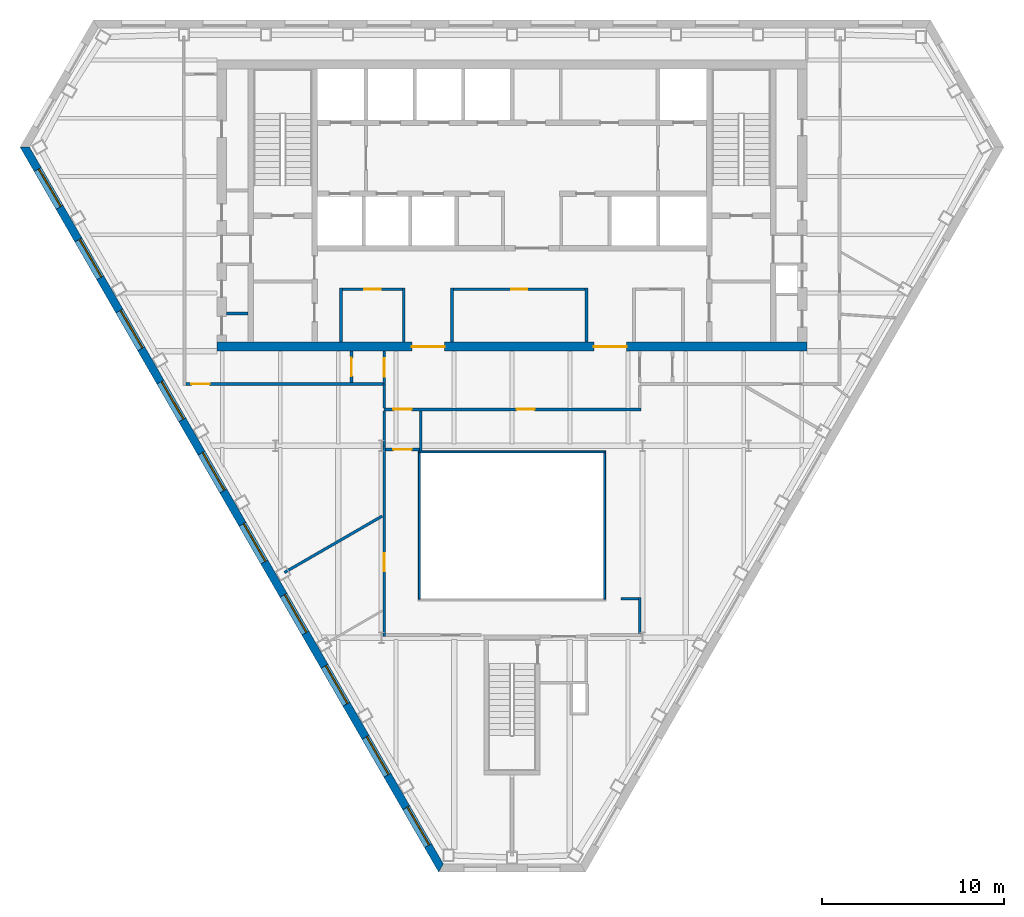
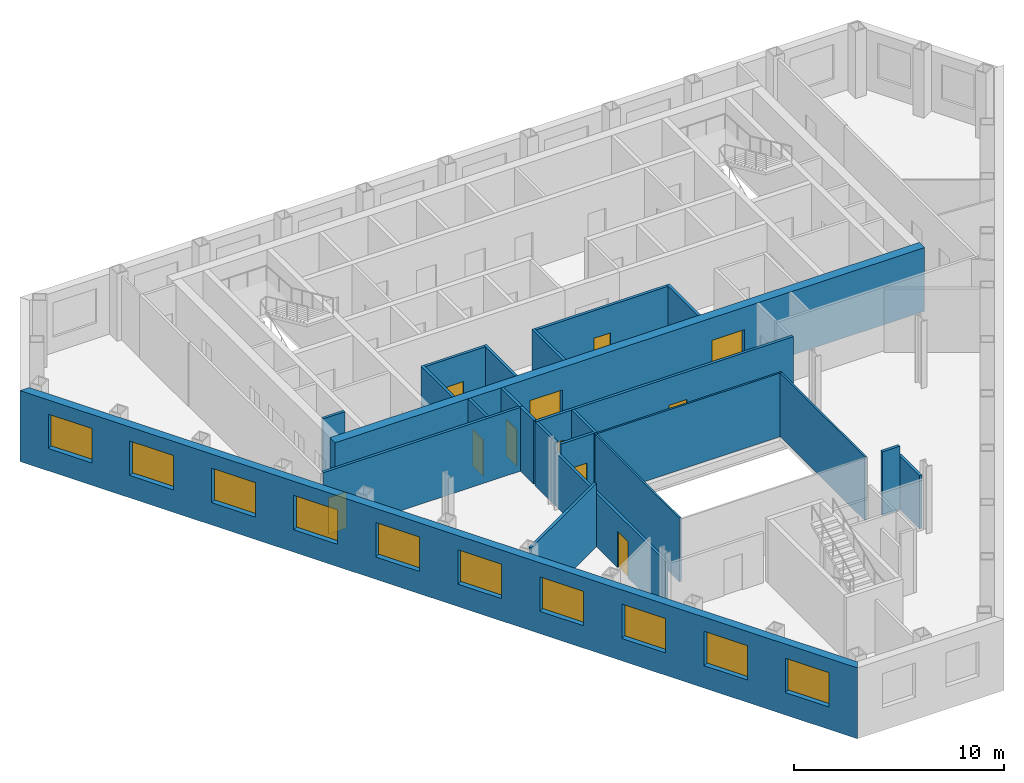
# One storey, part 4 of 11: 24 walls, 11 doors, 10 windows, 21 openings.
"""IFC4 building model written with IfcOpenShell, lengths in metres."""

from ifc_helpers import new_model, si_unit, direction, frame, frame_2d, origin, place, context, subcontext, project, spatial, polyline, rectangle, outline, extrude, material, layer, layer_set, type_object, element, fill, save


model = new_model("IFC4")

# Units and contexts
model_context = context("Model", 3, precision=1e-05, world=origin(), true_north=direction((0.0, 1.0)))
body_context = subcontext(model_context, "Body", "Model", "MODEL_VIEW")
ifc_project = project(units=[si_unit("LENGTHUNIT", "METRE"), si_unit("AREAUNIT", "SQUARE_METRE"), si_unit("VOLUMEUNIT", "CUBIC_METRE"), si_unit("PLANEANGLEUNIT", "RADIAN"), si_unit("MASSUNIT", "GRAM", prefix="KILO")], contexts=[model_context])

# Site, building, storey
site_placement = place(None, origin())
site = spatial("IfcSite", under=ifc_project, at=site_placement, CompositionType="ELEMENT")
building_placement = place(site_placement, origin())
building = spatial("IfcBuilding", under=site, at=building_placement, Name="Njiva Tower", CompositionType="ELEMENT")
storey_placement = place(building_placement, frame((0.0, 0.0, 182.7)))
storey = spatial("IfcBuildingStorey", under=building, at=storey_placement, Name="L40", CompositionType="ELEMENT", Elevation=182.7)

# Walls
ifc_material_1 = material(Name="Blockwork", Category="masonry")
ifc_layer_1 = layer(ifc_material_1, 0.15)
ifc_layer_set_1 = layer_set([ifc_layer_1], Name="Blockwork")
wall_type_1 = type_object("IfcWallType", Name="WT1 Compartment partition 150", PredefinedType="PARTITIONING", material=ifc_layer_set_1)
wall_1_placement = place(storey_placement, frame((-15.7, 4.075, 0.0), z_axis=(0.0, 0.0, 1.0), x_axis=(1.0, 0.0, 0.0)))
element("IfcWall", 1, at=wall_1_placement, inside=storey, type_object=wall_type_1, Name="Partition strip W00", PredefinedType="PARTITIONING", context=body_context, shape_type="SweptSolid", body=[
    extrude(rectangle(XDim=1.2, YDim=0.15, at=frame_2d((0.6, 0.0))), origin(), (0.0, 0.0, 1.0), 3.7),
])
for number, where, z_axis, x_axis, name in (
    (2, (-9.4, 2.5, 0.0), (0.0, 0.0, 1.0), (0.0, 1.0, 0.0), "Concierge office wall west"),
    (3, (-5.95, 2.5, 0.0), (0.0, 0.0, 1.0), (0.0, 1.0, 0.0), "Concierge office wall east"),
):
    element("IfcWall", number, at=place(storey_placement, frame(where, z_axis=z_axis, x_axis=x_axis)), inside=storey, type_object=wall_type_1, Name=name, PredefinedType="PARTITIONING", context=body_context, shape_type="SweptSolid", body=[
        extrude(rectangle(XDim=2.975, YDim=0.15, at=frame_2d((1.4875, 0.0))), origin(), (0.0, 0.0, 1.0), 3.7),
    ])

# Wall, opening, door
wall_2_placement = place(storey_placement, frame((-9.325, 5.4, 0.0), z_axis=(0.0, 0.0, 1.0), x_axis=(1.0, 0.0, 0.0)))
wall_2 = element("IfcWall", 4, at=wall_2_placement, inside=storey, type_object=wall_type_1, Name="Concierge office wall north", PredefinedType="PARTITIONING", context=body_context, shape_type="SweptSolid", body=[
    extrude(rectangle(XDim=3.3, YDim=0.15, at=frame_2d((1.65, 0.0))), origin(), (0.0, 0.0, 1.0), 3.7),
])
opening_1_placement = place(wall_2_placement, frame((1.2, 0.0, 0.0)))
opening_1 = element("IfcOpeningElement", 5, at=opening_1_placement, cuts=wall_2, Name="Opening S13-D933", PredefinedType="OPENING", context=body_context, shape_type="SweptSolid", body=[
    extrude(rectangle(XDim=0.9, YDim=2.1, at=frame_2d((0.45, 1.05))), frame((0.0, 0.085, 0.0), z_axis=(0.0, -1.0, 0.0), x_axis=(1.0, 0.0, 0.0)), (0.0, 0.0, 1.0), 0.17),
])
ifc_material_2 = material(Name="Steel fire door, painted", Category="steel")
door_type_1 = type_object("IfcDoorType", Name="D6 Fire-rated door 900x2100", OperationType="SINGLE_SWING_LEFT", PredefinedType="DOOR", material=ifc_material_2)
door_1_placement = place(opening_1_placement, origin())
door_1 = element("IfcDoor", 6, at=door_1_placement, inside=storey, type_object=door_type_1, Name="Concierge office door", OperationType="SINGLE_SWING_RIGHT", OverallHeight=2.1, OverallWidth=0.9, PredefinedType="DOOR", context=body_context, shape_type="SweptSolid", body=[
    extrude(rectangle(XDim=0.9, YDim=2.1, at=frame_2d((0.45, 1.05))), frame((0.0, 0.025, 0.0), z_axis=(0.0, -1.0, 0.0), x_axis=(1.0, 0.0, 0.0)), (0.0, 0.0, 1.0), 0.05),
])
fill(opening_1, door_1)

# Walls
for number, where, z_axis, x_axis, name in (
    (7, (-3.3, 2.5, 0.0), (0.0, 0.0, 1.0), (0.0, 1.0, 0.0), "Post room wall west"),
    (8, (4.1, 2.5, 0.0), (0.0, 0.0, 1.0), (0.0, 1.0, 0.0), "Post room wall east"),
):
    element("IfcWall", number, at=place(storey_placement, frame(where, z_axis=z_axis, x_axis=x_axis)), inside=storey, type_object=wall_type_1, Name=name, PredefinedType="PARTITIONING", context=body_context, shape_type="SweptSolid", body=[
        extrude(rectangle(XDim=2.975, YDim=0.15, at=frame_2d((1.4875, 0.0))), origin(), (0.0, 0.0, 1.0), 3.7),
    ])

# Wall, opening, door
wall_3_placement = place(storey_placement, frame((-3.225, 5.4, 0.0), z_axis=(0.0, 0.0, 1.0), x_axis=(1.0, 0.0, 0.0)))
wall_3 = element("IfcWall", 9, at=wall_3_placement, inside=storey, type_object=wall_type_1, Name="Post room wall north", PredefinedType="PARTITIONING", context=body_context, shape_type="SweptSolid", body=[
    extrude(rectangle(XDim=7.25, YDim=0.15, at=frame_2d((3.625, 0.0))), origin(), (0.0, 0.0, 1.0), 3.7),
])
opening_2_placement = place(wall_3_placement, frame((3.175, 0.0, 0.0)))
opening_2 = element("IfcOpeningElement", 10, at=opening_2_placement, cuts=wall_3, Name="Opening S13-D934", PredefinedType="OPENING", context=body_context, shape_type="SweptSolid", body=[
    extrude(rectangle(XDim=0.9, YDim=2.1, at=frame_2d((0.45, 1.05))), frame((0.0, 0.085, 0.0), z_axis=(0.0, -1.0, 0.0), x_axis=(1.0, 0.0, 0.0)), (0.0, 0.0, 1.0), 0.17),
])
door_2_placement = place(opening_2_placement, origin())
door_2 = element("IfcDoor", 11, at=door_2_placement, inside=storey, type_object=door_type_1, Name="Post room door", OperationType="SINGLE_SWING_LEFT", OverallHeight=2.1, OverallWidth=0.9, PredefinedType="DOOR", context=body_context, shape_type="SweptSolid", body=[
    extrude(rectangle(XDim=0.9, YDim=2.1, at=frame_2d((0.45, 1.05))), frame((0.0, 0.025, 0.0), z_axis=(0.0, -1.0, 0.0), x_axis=(1.0, 0.0, 0.0)), (0.0, 0.0, 1.0), 0.05),
])
fill(opening_2, door_2)

# Wall, openings, doors
ifc_material_3 = material(Name="Concrete C60/75", Category="concrete")
ifc_layer_2 = layer(ifc_material_3, 0.5)
ifc_layer_set_2 = layer_set([ifc_layer_2], Name="Concrete C60/75")
wall_type_2 = type_object("IfcWallType", Name="WT13 Core wall 500", PredefinedType="SHEAR", material=ifc_layer_set_2)
wall_4_placement = place(storey_placement, frame((-16.2, 2.25, 0.0), z_axis=(0.0, 0.0, 1.0), x_axis=(1.0, 0.0, 0.0)))
wall_4 = element("IfcWall", 12, at=wall_4_placement, inside=storey, type_object=wall_type_2, Name="Core wall south", PredefinedType="SHEAR", context=body_context, shape_type="SweptSolid", body=[
    extrude(rectangle(XDim=32.4, YDim=0.5, at=frame_2d((16.2, 0.0))), origin(), (0.0, 0.0, 1.0), 3.7),
])
opening_3_placement = place(wall_4_placement, frame((10.7, 0.0, 0.0)))
opening_3 = element("IfcOpeningElement", 13, at=opening_3_placement, cuts=wall_4, Name="Opening S13-D937", PredefinedType="OPENING", context=body_context, shape_type="SweptSolid", body=[
    extrude(rectangle(XDim=1.8, YDim=2.4, at=frame_2d((0.9, 1.2))), frame((0.0, 0.26, 0.0), z_axis=(0.0, -1.0, 0.0), x_axis=(1.0, 0.0, 0.0)), (0.0, 0.0, 1.0), 0.52),
])
opening_4_placement = place(wall_4_placement, frame((20.7, 0.0, 0.0)))
opening_4 = element("IfcOpeningElement", 14, at=opening_4_placement, cuts=wall_4, Name="Opening S13-D938", PredefinedType="OPENING", context=body_context, shape_type="SweptSolid", body=[
    extrude(rectangle(XDim=1.8, YDim=2.4, at=frame_2d((0.9, 1.2))), frame((0.0, 0.26, 0.0), z_axis=(0.0, -1.0, 0.0), x_axis=(1.0, 0.0, 0.0)), (0.0, 0.0, 1.0), 0.52),
])
ifc_material_4 = material(Name="Steel and glass door", Category="steel")
door_type_2 = type_object("IfcDoorType", Name="D3 Core entrance door 1800x2400", OperationType="DOUBLE_DOOR_SINGLE_SWING", PredefinedType="DOOR", material=ifc_material_4)
door_3_placement = place(opening_3_placement, origin())
door_3 = element("IfcDoor", 15, at=door_3_placement, inside=storey, type_object=door_type_2, Name="Core entrance door", OperationType="DOUBLE_DOOR_SINGLE_SWING", OverallHeight=2.4, OverallWidth=1.8, PredefinedType="DOOR", context=body_context, shape_type="SweptSolid", body=[
    extrude(rectangle(XDim=1.8, YDim=2.4, at=frame_2d((0.9, 1.2))), frame((0.0, 0.025, 0.0), z_axis=(0.0, -1.0, 0.0), x_axis=(1.0, 0.0, 0.0)), (0.0, 0.0, 1.0), 0.05),
])
fill(opening_3, door_3)
door_4_placement = place(opening_4_placement, origin())
door_4 = element("IfcDoor", 16, at=door_4_placement, inside=storey, type_object=door_type_2, Name="Core entrance door", OperationType="DOUBLE_DOOR_SINGLE_SWING", OverallHeight=2.4, OverallWidth=1.8, PredefinedType="DOOR", context=body_context, shape_type="SweptSolid", body=[
    extrude(rectangle(XDim=1.8, YDim=2.4, at=frame_2d((0.9, 1.2))), frame((0.0, 0.025, 0.0), z_axis=(0.0, -1.0, 0.0), x_axis=(1.0, 0.0, 0.0)), (0.0, 0.0, 1.0), 0.05),
])
fill(opening_4, door_4)

# Wall, opening, door
ifc_material_5 = material(Name="Gypsum board on steel studs", Category="gypsum")
ifc_layer_3 = layer(ifc_material_5, 0.15)
ifc_layer_set_3 = layer_set([ifc_layer_3], Name="Gypsum board on steel studs")
wall_type_3 = type_object("IfcWallType", Name="WT21 Compartment wall 150", PredefinedType="PARTITIONING", material=ifc_layer_set_3)
wall_5_placement = place(storey_placement, frame((-17.925, 0.2, 0.0), z_axis=(0.0, 0.0, 1.0), x_axis=(1.0, 0.0, 0.0)))
wall_5 = element("IfcWall", 17, at=wall_5_placement, inside=storey, type_object=wall_type_3, Name="Partition S13-P005", PredefinedType="PARTITIONING", context=body_context, shape_type="SweptSolid", body=[
    extrude(rectangle(XDim=10.83, YDim=0.15, at=frame_2d((5.415, 0.0))), origin(), (0.0, 0.0, 1.0), 3.7),
])
opening_5_placement = place(wall_5_placement, frame((0.312, 0.0, 0.0)))
opening_5 = element("IfcOpeningElement", 18, at=opening_5_placement, cuts=wall_5, Name="Opening S13-D002", PredefinedType="OPENING", context=body_context, shape_type="SweptSolid", body=[
    extrude(rectangle(XDim=1.0, YDim=2.1, at=frame_2d((0.5, 1.05))), frame((0.0, 0.085, 0.0), z_axis=(0.0, -1.0, 0.0), x_axis=(1.0, 0.0, 0.0)), (0.0, 0.0, 1.0), 0.17),
])
ifc_material_6 = material(Name="Steel fire door set", Category="steel")
door_type_3 = type_object("IfcDoorType", Name="D37 Fire door 1000x2100", OperationType="SINGLE_SWING_LEFT", PredefinedType="DOOR", material=ifc_material_6)
door_5_placement = place(opening_5_placement, origin())
door_5 = element("IfcDoor", 19, at=door_5_placement, inside=storey, type_object=door_type_3, Name="Door S13-D002", OperationType="SINGLE_SWING_LEFT", OverallHeight=2.1, OverallWidth=1.0, PredefinedType="DOOR", context=body_context, shape_type="SweptSolid", body=[
    extrude(rectangle(XDim=1.0, YDim=2.1, at=frame_2d((0.5, 1.05))), frame((0.0, 0.025, 0.0), z_axis=(0.0, -1.0, 0.0), x_axis=(1.0, 0.0, 0.0)), (0.0, 0.0, 1.0), 0.05),
])
fill(opening_5, door_5)

# Wall
wall_6_placement = place(storey_placement, frame((-12.499, -10.157, 0.0), z_axis=(0.0, 0.0, 1.0), x_axis=(0.866070043127, 0.499922674419, 0.0)))
element("IfcWall", 20, at=wall_6_placement, inside=storey, type_object=wall_type_3, Name="Partition S13-P006", PredefinedType="PARTITIONING", context=body_context, shape_type="SweptSolid", body=[
    extrude(rectangle(XDim=6.197, YDim=0.15, at=frame_2d((3.0985, 0.0))), origin(), (0.0, 0.0, 1.0), 3.7),
])

# Wall, opening, door
wall_7_placement = place(storey_placement, frame((-8.82, 0.275, 0.0), z_axis=(0.0, 0.0, 1.0), x_axis=(0.0, 1.0, 0.0)))
wall_7 = element("IfcWall", 21, at=wall_7_placement, inside=storey, type_object=wall_type_3, Name="Partition S13-P008", PredefinedType="PARTITIONING", context=body_context, shape_type="SweptSolid", body=[
    extrude(rectangle(XDim=1.725, YDim=0.15, at=frame_2d((0.8625, 0.0))), origin(), (0.0, 0.0, 1.0), 3.7),
])
opening_6_placement = place(wall_7_placement, frame((0.363, 0.0, 0.0)))
opening_6 = element("IfcOpeningElement", 22, at=opening_6_placement, cuts=wall_7, Name="Opening S13-D003", PredefinedType="OPENING", context=body_context, shape_type="SweptSolid", body=[
    extrude(rectangle(XDim=1.0, YDim=2.1, at=frame_2d((0.5, 1.05))), frame((0.0, 0.085, 0.0), z_axis=(0.0, -1.0, 0.0), x_axis=(1.0, 0.0, 0.0)), (0.0, 0.0, 1.0), 0.17),
])
door_6_placement = place(opening_6_placement, origin())
door_6 = element("IfcDoor", 23, at=door_6_placement, inside=storey, type_object=door_type_3, Name="Door S13-D003", OperationType="SINGLE_SWING_LEFT", OverallHeight=2.1, OverallWidth=1.0, PredefinedType="DOOR", context=body_context, shape_type="SweptSolid", body=[
    extrude(rectangle(XDim=1.0, YDim=2.1, at=frame_2d((0.5, 1.05))), frame((0.0, 0.025, 0.0), z_axis=(0.0, -1.0, 0.0), x_axis=(1.0, 0.0, 0.0)), (0.0, 0.0, 1.0), 0.05),
])
fill(opening_6, door_6)

wall_8_placement = place(storey_placement, frame((-7.02, -13.675, 0.0), z_axis=(0.0, 0.0, 1.0), x_axis=(0.0, 1.0, 0.0)))
wall_8 = element("IfcWall", 24, at=wall_8_placement, inside=storey, type_object=wall_type_3, Name="Partition S13-P009", PredefinedType="PARTITIONING", context=body_context, shape_type="SweptSolid", body=[
    extrude(rectangle(XDim=10.475, YDim=0.15, at=frame_2d((5.2375, 0.0))), origin(), (0.0, 0.0, 1.0), 3.11),
])
opening_7_placement = place(wall_8_placement, frame((3.577, 0.0, 0.0)))
opening_7 = element("IfcOpeningElement", 25, at=opening_7_placement, cuts=wall_8, Name="Opening S13-D004", PredefinedType="OPENING", context=body_context, shape_type="SweptSolid", body=[
    extrude(rectangle(XDim=1.0, YDim=2.1, at=frame_2d((0.5, 1.05))), frame((0.0, 0.085, 0.0), z_axis=(0.0, -1.0, 0.0), x_axis=(1.0, 0.0, 0.0)), (0.0, 0.0, 1.0), 0.17),
])
door_7_placement = place(opening_7_placement, origin())
door_7 = element("IfcDoor", 26, at=door_7_placement, inside=storey, type_object=door_type_3, Name="Door S13-D004", OperationType="SINGLE_SWING_RIGHT", OverallHeight=2.1, OverallWidth=1.0, PredefinedType="DOOR", context=body_context, shape_type="SweptSolid", body=[
    extrude(rectangle(XDim=1.0, YDim=2.1, at=frame_2d((0.5, 1.05))), frame((0.0, 0.025, 0.0), z_axis=(0.0, -1.0, 0.0), x_axis=(1.0, 0.0, 0.0)), (0.0, 0.0, 1.0), 0.05),
])
fill(opening_7, door_7)

# Wall
wall_9_placement = place(storey_placement, frame((-7.02, -3.2, 0.0), z_axis=(0.0, 0.0, 1.0), x_axis=(0.0, 1.0, 0.0)))
element("IfcWall", 27, at=wall_9_placement, inside=storey, type_object=wall_type_3, Name="Partition S13-P009A", PredefinedType="PARTITIONING", context=body_context, shape_type="SweptSolid", body=[
    extrude(rectangle(XDim=1.925, YDim=0.15, at=frame_2d((0.9625, 0.0))), origin(), (0.0, 0.0, 1.0), 3.7),
])

# Wall, openings, doors
wall_10_placement = place(storey_placement, frame((-7.02, -1.2, 0.0), z_axis=(0.0, 0.0, 1.0), x_axis=(1.0, 0.0, 0.0)))
wall_10 = element("IfcWall", 28, at=wall_10_placement, inside=storey, type_object=wall_type_3, Name="Partition S13-P010", PredefinedType="PARTITIONING", context=body_context, shape_type="SweptSolid", body=[
    extrude(rectangle(XDim=14.115, YDim=0.15, at=frame_2d((7.0575, 0.0))), origin(), (0.0, 0.0, 1.0), 3.7),
])
opening_8_placement = place(wall_10_placement, frame((0.5, 0.0, 0.0)))
opening_8 = element("IfcOpeningElement", 29, at=opening_8_placement, cuts=wall_10, Name="Opening S13-D005", PredefinedType="OPENING", context=body_context, shape_type="SweptSolid", body=[
    extrude(rectangle(XDim=1.0, YDim=2.1, at=frame_2d((0.5, 1.05))), frame((0.0, 0.085, 0.0), z_axis=(0.0, -1.0, 0.0), x_axis=(1.0, 0.0, 0.0)), (0.0, 0.0, 1.0), 0.17),
])
opening_9_placement = place(wall_10_placement, frame((7.27, 0.0, 0.0)))
opening_9 = element("IfcOpeningElement", 30, at=opening_9_placement, cuts=wall_10, Name="Opening S13-D006", PredefinedType="OPENING", context=body_context, shape_type="SweptSolid", body=[
    extrude(rectangle(XDim=1.0, YDim=2.1, at=frame_2d((0.5, 1.05))), frame((0.0, 0.085, 0.0), z_axis=(0.0, -1.0, 0.0), x_axis=(1.0, 0.0, 0.0)), (0.0, 0.0, 1.0), 0.17),
])
door_8_placement = place(opening_8_placement, origin())
door_8 = element("IfcDoor", 31, at=door_8_placement, inside=storey, type_object=door_type_3, Name="Door S13-D005", OperationType="SINGLE_SWING_RIGHT", OverallHeight=2.1, OverallWidth=1.0, PredefinedType="DOOR", context=body_context, shape_type="SweptSolid", body=[
    extrude(rectangle(XDim=1.0, YDim=2.1, at=frame_2d((0.5, 1.05))), frame((0.0, 0.025, 0.0), z_axis=(0.0, -1.0, 0.0), x_axis=(1.0, 0.0, 0.0)), (0.0, 0.0, 1.0), 0.05),
])
fill(opening_8, door_8)
door_9_placement = place(opening_9_placement, origin())
door_9 = element("IfcDoor", 32, at=door_9_placement, inside=storey, type_object=door_type_3, Name="Door S13-D006", OperationType="SINGLE_SWING_RIGHT", OverallHeight=2.1, OverallWidth=1.0, PredefinedType="DOOR", context=body_context, shape_type="SweptSolid", body=[
    extrude(rectangle(XDim=1.0, YDim=2.1, at=frame_2d((0.5, 1.05))), frame((0.0, 0.025, 0.0), z_axis=(0.0, -1.0, 0.0), x_axis=(1.0, 0.0, 0.0)), (0.0, 0.0, 1.0), 0.05),
])
fill(opening_9, door_9)

# Wall
wall_11_placement = place(storey_placement, frame((-7.02, -1.125, 0.0), z_axis=(0.0, 0.0, 1.0), x_axis=(0.0, 1.0, 0.0)))
element("IfcWall", 33, at=wall_11_placement, inside=storey, type_object=wall_type_3, Name="Partition S13-P011", PredefinedType="PARTITIONING", context=body_context, shape_type="SweptSolid", body=[
    extrude(rectangle(XDim=1.323, YDim=0.15, at=frame_2d((0.6615, 0.0))), origin(), (0.0, 0.0, 1.0), 3.7),
])

# Wall, opening, door
wall_12_placement = place(storey_placement, frame((-7.02, 0.2, 0.0), z_axis=(0.0, 0.0, 1.0), x_axis=(0.0, 1.0, 0.0)))
wall_12 = element("IfcWall", 34, at=wall_12_placement, inside=storey, type_object=wall_type_3, Name="Partition S13-P012", PredefinedType="PARTITIONING", context=body_context, shape_type="SweptSolid", body=[
    extrude(rectangle(XDim=1.8, YDim=0.15, at=frame_2d((0.9, 0.0))), origin(), (0.0, 0.0, 1.0), 3.7),
])
opening_10_placement = place(wall_12_placement, frame((0.4, 0.0, 0.0)))
opening_10 = element("IfcOpeningElement", 35, at=opening_10_placement, cuts=wall_12, Name="Opening S13-D007", PredefinedType="OPENING", context=body_context, shape_type="SweptSolid", body=[
    extrude(rectangle(XDim=1.0, YDim=2.1, at=frame_2d((0.5, 1.05))), frame((0.0, 0.085, 0.0), z_axis=(0.0, -1.0, 0.0), x_axis=(1.0, 0.0, 0.0)), (0.0, 0.0, 1.0), 0.17),
])
door_10_placement = place(opening_10_placement, origin())
door_10 = element("IfcDoor", 36, at=door_10_placement, inside=storey, type_object=door_type_3, Name="Door S13-D007", OperationType="SINGLE_SWING_LEFT", OverallHeight=2.1, OverallWidth=1.0, PredefinedType="DOOR", context=body_context, shape_type="SweptSolid", body=[
    extrude(rectangle(XDim=1.0, YDim=2.1, at=frame_2d((0.5, 1.05))), frame((0.0, 0.025, 0.0), z_axis=(0.0, -1.0, 0.0), x_axis=(1.0, 0.0, 0.0)), (0.0, 0.0, 1.0), 0.05),
])
fill(opening_10, door_10)

wall_13_placement = place(storey_placement, frame((-6.945, -3.4, 0.0), z_axis=(0.0, 0.0, 1.0), x_axis=(1.0, 0.0, 0.0)))
wall_13 = element("IfcWall", 37, at=wall_13_placement, inside=storey, type_object=wall_type_3, Name="Partition S13-P014", PredefinedType="PARTITIONING", context=body_context, shape_type="SweptSolid", body=[
    extrude(rectangle(XDim=1.85, YDim=0.15, at=frame_2d((0.925, 0.0))), origin(), (0.0, 0.0, 1.0), 3.7),
])
opening_11_placement = place(wall_13_placement, frame((0.425, 0.0, 0.0)))
opening_11 = element("IfcOpeningElement", 38, at=opening_11_placement, cuts=wall_13, Name="Opening S13-D009", PredefinedType="OPENING", context=body_context, shape_type="SweptSolid", body=[
    extrude(rectangle(XDim=1.0, YDim=2.1, at=frame_2d((0.5, 1.05))), frame((0.0, 0.085, 0.0), z_axis=(0.0, -1.0, 0.0), x_axis=(1.0, 0.0, 0.0)), (0.0, 0.0, 1.0), 0.17),
])
door_11_placement = place(opening_11_placement, origin())
door_11 = element("IfcDoor", 39, at=door_11_placement, inside=storey, type_object=door_type_3, Name="Door S13-D009", OperationType="SINGLE_SWING_RIGHT", OverallHeight=2.1, OverallWidth=1.0, PredefinedType="DOOR", context=body_context, shape_type="SweptSolid", body=[
    extrude(rectangle(XDim=1.0, YDim=2.1, at=frame_2d((0.5, 1.05))), frame((0.0, 0.025, 0.0), z_axis=(0.0, -1.0, 0.0), x_axis=(1.0, 0.0, 0.0)), (0.0, 0.0, 1.0), 0.05),
])
fill(opening_11, door_11)

# Walls
wall_14_placement = place(storey_placement, frame((-5.02, -3.48, 0.0), z_axis=(0.0, 0.0, 1.0), x_axis=(0.0, 1.0, 0.0)))
element("IfcWall", 40, at=wall_14_placement, inside=storey, type_object=wall_type_3, Name="Partition S13-P015", PredefinedType="PARTITIONING", context=body_context, shape_type="SweptSolid", body=[
    extrude(rectangle(XDim=2.205, YDim=0.15, at=frame_2d((1.1025, 0.0))), origin(), (0.0, 0.0, 1.0), 3.7),
])
wall_15_placement = place(storey_placement, frame((5.98, -11.6, 0.0), z_axis=(0.0, 0.0, 1.0), x_axis=(1.0, 0.0, 0.0)))
element("IfcWall", 41, at=wall_15_placement, inside=storey, type_object=wall_type_3, Name="Partition S13-P018", PredefinedType="PARTITIONING", context=body_context, shape_type="SweptSolid", body=[
    extrude(rectangle(XDim=0.965, YDim=0.15, at=frame_2d((0.4825, 0.0))), origin(), (0.0, 0.0, 1.0), 3.7),
])
wall_16_placement = place(storey_placement, frame((7.02, -13.525, 0.0), z_axis=(0.0, 0.0, 1.0), x_axis=(0.0, 1.0, 0.0)))
element("IfcWall", 42, at=wall_16_placement, inside=storey, type_object=wall_type_3, Name="Partition S13-P019", PredefinedType="PARTITIONING", context=body_context, shape_type="SweptSolid", body=[
    extrude(rectangle(XDim=2.0, YDim=0.15, at=frame_2d((1.0, 0.0))), origin(), (0.0, 0.0, 1.0), 3.11),
])

# Wall, openings, windows
ifc_material_7 = material(Name="Brick masonry", Category="masonry")
ifc_layer_4 = layer(ifc_material_7, 0.45)
ifc_layer_set_4 = layer_set([ifc_layer_4], Name="Brick masonry")
wall_type_4 = type_object("IfcWallType", Name="WT90 Brick pier and spandrel wall 450", PredefinedType="SOLIDWALL", material=ifc_layer_set_4)
wall_17_placement = place(storey_placement, frame((-26.7752, 13.2198, -0.4), z_axis=(0.0, 0.0, 1.0), x_axis=(0.500000335318, -0.866025210188, 0.0)))
wall_17 = element("IfcWall", 43, at=wall_17_placement, inside=storey, type_object=wall_type_4, Name="Facade wall SW", PredefinedType="SOLIDWALL", context=body_context, shape_type="SweptSolid", body=[
    extrude(outline(polyline([(-0.1299, -0.225), (45.8801, -0.225), (45.6203, 0.225), (0.1299, 0.225), (-0.1299, -0.225)])), origin(), (0.0, 0.0, 1.0), 4.12),
])
opening_12_placement = place(wall_17_placement, frame((1.4247, 0.0, 1.3)))
opening_12 = element("IfcOpeningElement", 44, at=opening_12_placement, cuts=wall_17, Name="Opening S13-W12", PredefinedType="OPENING", context=body_context, shape_type="SweptSolid", body=[
    extrude(rectangle(XDim=2.4, YDim=2.0, at=frame_2d((1.2, 1.0))), frame((0.0, 0.235, 0.0), z_axis=(0.0, -1.0, 0.0), x_axis=(1.0, 0.0, 0.0)), (0.0, 0.0, 1.0), 0.47),
])
opening_13_placement = place(wall_17_placement, frame((5.8949, 0.0, 1.3)))
opening_13 = element("IfcOpeningElement", 45, at=opening_13_placement, cuts=wall_17, Name="Opening S13-W13", PredefinedType="OPENING", context=body_context, shape_type="SweptSolid", body=[
    extrude(rectangle(XDim=2.4, YDim=2.0, at=frame_2d((1.2, 1.0))), frame((0.0, 0.235, 0.0), z_axis=(0.0, -1.0, 0.0), x_axis=(1.0, 0.0, 0.0)), (0.0, 0.0, 1.0), 0.47),
])
opening_14_placement = place(wall_17_placement, frame((10.4035, 0.0, 1.3)))
opening_14 = element("IfcOpeningElement", 46, at=opening_14_placement, cuts=wall_17, Name="Opening S13-W14", PredefinedType="OPENING", context=body_context, shape_type="SweptSolid", body=[
    extrude(rectangle(XDim=2.4, YDim=2.0, at=frame_2d((1.2, 1.0))), frame((0.0, 0.235, 0.0), z_axis=(0.0, -1.0, 0.0), x_axis=(1.0, 0.0, 0.0)), (0.0, 0.0, 1.0), 0.47),
])
opening_15_placement = place(wall_17_placement, frame((14.9122, 0.0, 1.3)))
opening_15 = element("IfcOpeningElement", 47, at=opening_15_placement, cuts=wall_17, Name="Opening S13-W15", PredefinedType="OPENING", context=body_context, shape_type="SweptSolid", body=[
    extrude(rectangle(XDim=2.4, YDim=2.0, at=frame_2d((1.2, 1.0))), frame((0.0, 0.235, 0.0), z_axis=(0.0, -1.0, 0.0), x_axis=(1.0, 0.0, 0.0)), (0.0, 0.0, 1.0), 0.47),
])
opening_16_placement = place(wall_17_placement, frame((19.4208, 0.0, 1.3)))
opening_16 = element("IfcOpeningElement", 48, at=opening_16_placement, cuts=wall_17, Name="Opening S13-W16", PredefinedType="OPENING", context=body_context, shape_type="SweptSolid", body=[
    extrude(rectangle(XDim=2.4, YDim=2.0, at=frame_2d((1.2, 1.0))), frame((0.0, 0.235, 0.0), z_axis=(0.0, -1.0, 0.0), x_axis=(1.0, 0.0, 0.0)), (0.0, 0.0, 1.0), 0.47),
])
opening_17_placement = place(wall_17_placement, frame((23.9294, 0.0, 1.3)))
opening_17 = element("IfcOpeningElement", 49, at=opening_17_placement, cuts=wall_17, Name="Opening S13-W17", PredefinedType="OPENING", context=body_context, shape_type="SweptSolid", body=[
    extrude(rectangle(XDim=2.4, YDim=2.0, at=frame_2d((1.2, 1.0))), frame((0.0, 0.235, 0.0), z_axis=(0.0, -1.0, 0.0), x_axis=(1.0, 0.0, 0.0)), (0.0, 0.0, 1.0), 0.47),
])
opening_18_placement = place(wall_17_placement, frame((28.438, 0.0, 1.3)))
opening_18 = element("IfcOpeningElement", 50, at=opening_18_placement, cuts=wall_17, Name="Opening S13-W18", PredefinedType="OPENING", context=body_context, shape_type="SweptSolid", body=[
    extrude(rectangle(XDim=2.4, YDim=2.0, at=frame_2d((1.2, 1.0))), frame((0.0, 0.235, 0.0), z_axis=(0.0, -1.0, 0.0), x_axis=(1.0, 0.0, 0.0)), (0.0, 0.0, 1.0), 0.47),
])
opening_19_placement = place(wall_17_placement, frame((32.9466, 0.0, 1.3)))
opening_19 = element("IfcOpeningElement", 51, at=opening_19_placement, cuts=wall_17, Name="Opening S13-W19", PredefinedType="OPENING", context=body_context, shape_type="SweptSolid", body=[
    extrude(rectangle(XDim=2.4, YDim=2.0, at=frame_2d((1.2, 1.0))), frame((0.0, 0.235, 0.0), z_axis=(0.0, -1.0, 0.0), x_axis=(1.0, 0.0, 0.0)), (0.0, 0.0, 1.0), 0.47),
])
opening_20_placement = place(wall_17_placement, frame((37.4553, 0.0, 1.3)))
opening_20 = element("IfcOpeningElement", 52, at=opening_20_placement, cuts=wall_17, Name="Opening S13-W20", PredefinedType="OPENING", context=body_context, shape_type="SweptSolid", body=[
    extrude(rectangle(XDim=2.4, YDim=2.0, at=frame_2d((1.2, 1.0))), frame((0.0, 0.235, 0.0), z_axis=(0.0, -1.0, 0.0), x_axis=(1.0, 0.0, 0.0)), (0.0, 0.0, 1.0), 0.47),
])
opening_21_placement = place(wall_17_placement, frame((41.9255, 0.0, 1.3)))
opening_21 = element("IfcOpeningElement", 53, at=opening_21_placement, cuts=wall_17, Name="Opening S13-W21", PredefinedType="OPENING", context=body_context, shape_type="SweptSolid", body=[
    extrude(rectangle(XDim=2.4, YDim=2.0, at=frame_2d((1.2, 1.0))), frame((0.0, 0.235, 0.0), z_axis=(0.0, -1.0, 0.0), x_axis=(1.0, 0.0, 0.0)), (0.0, 0.0, 1.0), 0.47),
])
ifc_material_8 = material(Name="Clear glazing in aluminium frame", Category="aluminium")
window_type = type_object("IfcWindowType", Name="W90 Deep-set window 2400x2000", PartitioningType="SINGLE_PANEL", PredefinedType="WINDOW", material=ifc_material_8)
window_1_placement = place(opening_12_placement, origin())
window_1 = element("IfcWindow", 54, at=window_1_placement, inside=storey, type_object=window_type, Name="Window", OverallHeight=2.0, OverallWidth=2.4, PartitioningType="SINGLE_PANEL", PredefinedType="WINDOW", context=body_context, shape_type="SweptSolid", body=[
    extrude(rectangle(XDim=2.4, YDim=2.0, at=frame_2d((1.2, 1.0))), frame((0.0, 0.105, 0.0), z_axis=(0.0, -1.0, 0.0), x_axis=(1.0, 0.0, 0.0)), (0.0, 0.0, 1.0), 0.06),
])
fill(opening_12, window_1)
window_2_placement = place(opening_13_placement, origin())
window_2 = element("IfcWindow", 55, at=window_2_placement, inside=storey, type_object=window_type, Name="Window", OverallHeight=2.0, OverallWidth=2.4, PartitioningType="SINGLE_PANEL", PredefinedType="WINDOW", context=body_context, shape_type="SweptSolid", body=[
    extrude(rectangle(XDim=2.4, YDim=2.0, at=frame_2d((1.2, 1.0))), frame((0.0, 0.105, 0.0), z_axis=(0.0, -1.0, 0.0), x_axis=(1.0, 0.0, 0.0)), (0.0, 0.0, 1.0), 0.06),
])
fill(opening_13, window_2)
window_3_placement = place(opening_14_placement, origin())
window_3 = element("IfcWindow", 56, at=window_3_placement, inside=storey, type_object=window_type, Name="Window", OverallHeight=2.0, OverallWidth=2.4, PartitioningType="SINGLE_PANEL", PredefinedType="WINDOW", context=body_context, shape_type="SweptSolid", body=[
    extrude(rectangle(XDim=2.4, YDim=2.0, at=frame_2d((1.2, 1.0))), frame((0.0, 0.105, 0.0), z_axis=(0.0, -1.0, 0.0), x_axis=(1.0, 0.0, 0.0)), (0.0, 0.0, 1.0), 0.06),
])
fill(opening_14, window_3)
window_4_placement = place(opening_15_placement, origin())
window_4 = element("IfcWindow", 57, at=window_4_placement, inside=storey, type_object=window_type, Name="Window", OverallHeight=2.0, OverallWidth=2.4, PartitioningType="SINGLE_PANEL", PredefinedType="WINDOW", context=body_context, shape_type="SweptSolid", body=[
    extrude(rectangle(XDim=2.4, YDim=2.0, at=frame_2d((1.2, 1.0))), frame((0.0, 0.105, 0.0), z_axis=(0.0, -1.0, 0.0), x_axis=(1.0, 0.0, 0.0)), (0.0, 0.0, 1.0), 0.06),
])
fill(opening_15, window_4)
window_5_placement = place(opening_16_placement, origin())
window_5 = element("IfcWindow", 58, at=window_5_placement, inside=storey, type_object=window_type, Name="Window", OverallHeight=2.0, OverallWidth=2.4, PartitioningType="SINGLE_PANEL", PredefinedType="WINDOW", context=body_context, shape_type="SweptSolid", body=[
    extrude(rectangle(XDim=2.4, YDim=2.0, at=frame_2d((1.2, 1.0))), frame((0.0, 0.105, 0.0), z_axis=(0.0, -1.0, 0.0), x_axis=(1.0, 0.0, 0.0)), (0.0, 0.0, 1.0), 0.06),
])
fill(opening_16, window_5)
window_6_placement = place(opening_17_placement, origin())
window_6 = element("IfcWindow", 59, at=window_6_placement, inside=storey, type_object=window_type, Name="Window", OverallHeight=2.0, OverallWidth=2.4, PartitioningType="SINGLE_PANEL", PredefinedType="WINDOW", context=body_context, shape_type="SweptSolid", body=[
    extrude(rectangle(XDim=2.4, YDim=2.0, at=frame_2d((1.2, 1.0))), frame((0.0, 0.105, 0.0), z_axis=(0.0, -1.0, 0.0), x_axis=(1.0, 0.0, 0.0)), (0.0, 0.0, 1.0), 0.06),
])
fill(opening_17, window_6)
window_7_placement = place(opening_18_placement, origin())
window_7 = element("IfcWindow", 60, at=window_7_placement, inside=storey, type_object=window_type, Name="Window", OverallHeight=2.0, OverallWidth=2.4, PartitioningType="SINGLE_PANEL", PredefinedType="WINDOW", context=body_context, shape_type="SweptSolid", body=[
    extrude(rectangle(XDim=2.4, YDim=2.0, at=frame_2d((1.2, 1.0))), frame((0.0, 0.105, 0.0), z_axis=(0.0, -1.0, 0.0), x_axis=(1.0, 0.0, 0.0)), (0.0, 0.0, 1.0), 0.06),
])
fill(opening_18, window_7)
window_8_placement = place(opening_19_placement, origin())
window_8 = element("IfcWindow", 61, at=window_8_placement, inside=storey, type_object=window_type, Name="Window", OverallHeight=2.0, OverallWidth=2.4, PartitioningType="SINGLE_PANEL", PredefinedType="WINDOW", context=body_context, shape_type="SweptSolid", body=[
    extrude(rectangle(XDim=2.4, YDim=2.0, at=frame_2d((1.2, 1.0))), frame((0.0, 0.105, 0.0), z_axis=(0.0, -1.0, 0.0), x_axis=(1.0, 0.0, 0.0)), (0.0, 0.0, 1.0), 0.06),
])
fill(opening_19, window_8)
window_9_placement = place(opening_20_placement, origin())
window_9 = element("IfcWindow", 62, at=window_9_placement, inside=storey, type_object=window_type, Name="Window", OverallHeight=2.0, OverallWidth=2.4, PartitioningType="SINGLE_PANEL", PredefinedType="WINDOW", context=body_context, shape_type="SweptSolid", body=[
    extrude(rectangle(XDim=2.4, YDim=2.0, at=frame_2d((1.2, 1.0))), frame((0.0, 0.105, 0.0), z_axis=(0.0, -1.0, 0.0), x_axis=(1.0, 0.0, 0.0)), (0.0, 0.0, 1.0), 0.06),
])
fill(opening_20, window_9)
window_10_placement = place(opening_21_placement, origin())
window_10 = element("IfcWindow", 63, at=window_10_placement, inside=storey, type_object=window_type, Name="Window", OverallHeight=2.0, OverallWidth=2.4, PartitioningType="SINGLE_PANEL", PredefinedType="WINDOW", context=body_context, shape_type="SweptSolid", body=[
    extrude(rectangle(XDim=2.4, YDim=2.0, at=frame_2d((1.2, 1.0))), frame((0.0, 0.105, 0.0), z_axis=(0.0, -1.0, 0.0), x_axis=(1.0, 0.0, 0.0)), (0.0, 0.0, 1.0), 0.06),
])
fill(opening_21, window_10)

# Walls
ifc_material_9 = material(Name="Fire-resisting glazing EI 90", Category="glass")
ifc_layer_5 = layer(ifc_material_9, 0.1)
ifc_layer_set_5 = layer_set([ifc_layer_5], Name="Fire-resisting glazing EI 90")
wall_type_5 = type_object("IfcWallType", Name="WT95 Fire-resisting glazed screen EI 90", PredefinedType="PARTITIONING", material=ifc_layer_set_5)
wall_18_placement = place(storey_placement, frame((5.09, -11.62, 0.0), z_axis=(0.0, 0.0, 1.0), x_axis=(0.0, 1.0, 0.0)))
element("IfcWall", 64, at=wall_18_placement, inside=storey, type_object=wall_type_5, Name="Atrium fire screen east", PredefinedType="PARTITIONING", context=body_context, shape_type="SweptSolid", body=[
    extrude(rectangle(XDim=8.04, YDim=0.1, at=frame_2d((4.02, 0.0))), origin(), (0.0, 0.0, 1.0), 3.7),
])
wall_19_placement = place(storey_placement, frame((5.14, -3.53, 0.0), z_axis=(0.0, 0.0, 1.0), x_axis=(-1.0, 0.0, 0.0)))
element("IfcWall", 65, at=wall_19_placement, inside=storey, type_object=wall_type_5, Name="Atrium fire screen north", PredefinedType="PARTITIONING", context=body_context, shape_type="SweptSolid", body=[
    extrude(rectangle(XDim=10.28, YDim=0.1, at=frame_2d((5.14, 0.0))), origin(), (0.0, 0.0, 1.0), 3.7),
])
wall_20_placement = place(storey_placement, frame((-5.09, -3.58, 0.0), z_axis=(0.0, 0.0, 1.0), x_axis=(0.0, -1.0, 0.0)))
element("IfcWall", 66, at=wall_20_placement, inside=storey, type_object=wall_type_5, Name="Atrium fire screen west", PredefinedType="PARTITIONING", context=body_context, shape_type="SweptSolid", body=[
    extrude(rectangle(XDim=8.04, YDim=0.1, at=frame_2d((4.02, 0.0))), origin(), (0.0, 0.0, 1.0), 3.7),
])

save(model, "model.ifc")
